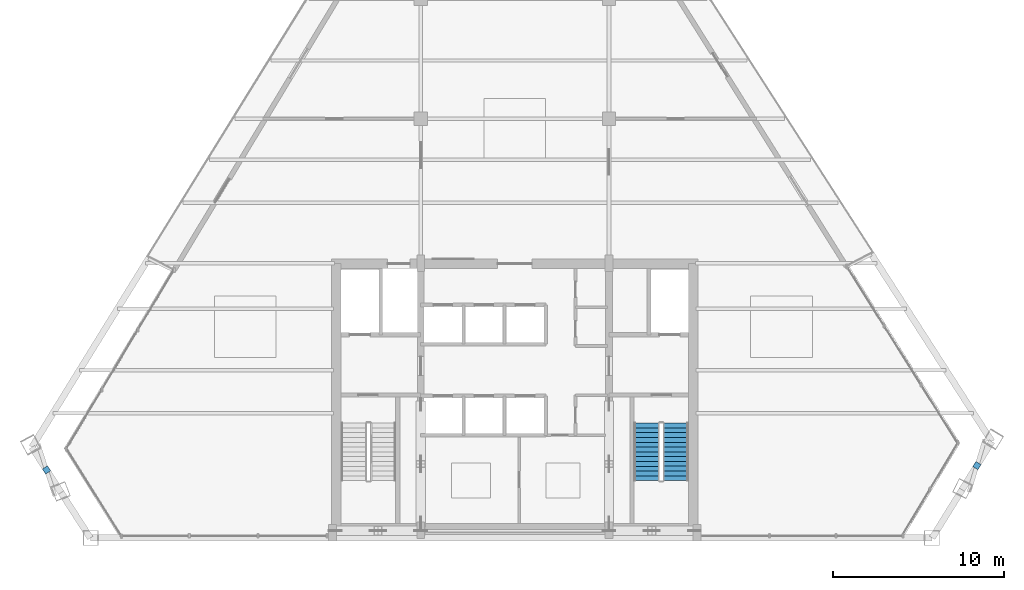
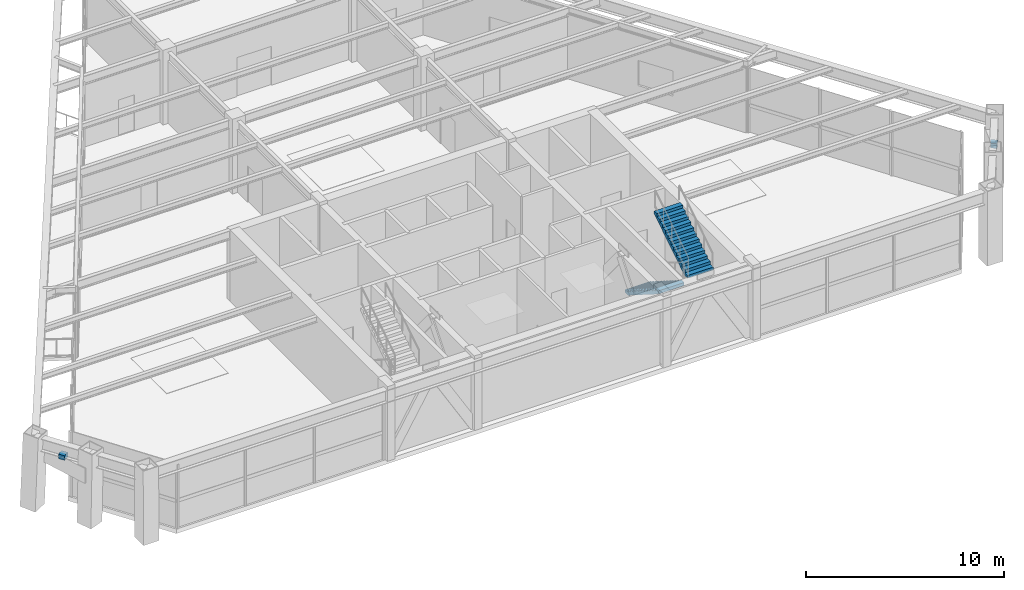
# One storey, part 9 of 11: 2 discrete accessories, 2 stair flights, 1 element without a shape of its own.
"""IFC4 building model written with IfcOpenShell, lengths in metres."""

import ifcopenshell
import ifcopenshell.guid

model = None  # the IFC model being written
_history = None  # IfcOwnerHistory: only IFC2X3 demands one
_inside = {}  # id of a spatial element -> (the spatial element, [elements in it])
_under = {}  # id of a project, library or spatial element -> (it, [spatial elements below it])
_declared = {}  # id of a project -> (the project, [libraries it declares])
_typed = {}  # id of a type object -> (the type object, [elements of that type])
_made_of = {}  # id of a material, layer set ... -> (it, [elements and type objects made of it])


def new_model(schema):
    """Start an empty IFC model of exactly this schema.

    Asked for "IFC4X3", IfcOpenShell would pick the latest addendum, in which some entities
    have other attributes; the version numbers below select the first issue.
    IFC2X3 requires an IfcOwnerHistory on every rooted entity: one is made here for all.
    """
    global model, _history
    if schema == "IFC4X3":
        model = ifcopenshell.file(schema_version=(4, 3, 0, 0))
    else:
        model = ifcopenshell.file(schema=schema)
    _inside.clear()
    _under.clear()
    _declared.clear()
    _typed.clear()
    _made_of.clear()
    _history = None
    if model.schema == "IFC2X3":
        org = make("IfcOrganization", Name="unknown")
        user = make(
            "IfcPersonAndOrganization",
            ThePerson=make("IfcPerson", FamilyName="unknown"),
            TheOrganization=org,
        )
        app = make(
            "IfcApplication",
            ApplicationDeveloper=org,
            Version="unknown",
            ApplicationFullName="unknown",
            ApplicationIdentifier="unknown",
        )
        _history = make(
            "IfcOwnerHistory",
            OwningUser=user,
            OwningApplication=app,
            ChangeAction="ADDED",
            CreationDate=0,
        )
    return model


def make(cls, **values):
    """One entity of the class cls with the attributes given. An attribute that is None is left unset."""
    return model.create_entity(
        cls, **{name: value for name, value in values.items() if value is not None}
    )


def rooted(cls, **values):
    """An entity with a GlobalId (a new one), such as an element, a storey or a relation."""
    return make(cls, GlobalId=ifcopenshell.guid.new(), OwnerHistory=_history, **values)


def si_unit(unit_type, name, prefix=None):
    """IfcSIUnit, for example si_unit("LENGTHUNIT", "METRE", prefix="MILLI")."""
    return make("IfcSIUnit", UnitType=unit_type, Prefix=prefix, Name=name)


def assignment(units):
    """IfcUnitAssignment: the units of a project."""
    return None if units is None else make("IfcUnitAssignment", Units=units)


def point(xyz):
    """IfcCartesianPoint."""
    return None if xyz is None else make("IfcCartesianPoint", Coordinates=xyz)


def direction(xyz):
    """IfcDirection."""
    return None if xyz is None else make("IfcDirection", DirectionRatios=xyz)


def frame(location, z_axis=None, x_axis=None):
    """IfcAxis2Placement3D, a coordinate frame: its origin and axes. An axis left out is left unset."""
    return make(
        "IfcAxis2Placement3D",
        Location=point(location),
        Axis=direction(z_axis),
        RefDirection=direction(x_axis),
    )


def frame_2d(location, x_axis=None):
    """IfcAxis2Placement2D, a coordinate frame in the plane: its origin and x axis."""
    return make(
        "IfcAxis2Placement2D", Location=point(location), RefDirection=direction(x_axis)
    )


def origin():
    """The frame at (0, 0, 0) with its axes left unset."""
    return frame((0.0, 0.0, 0.0))


def origin_2d():
    """The frame at (0, 0) in the plane with its x axis left unset."""
    return frame_2d((0.0, 0.0))


def place(relative_to, where):
    """IfcLocalPlacement: puts the frame where relative to a parent placement (None: the world)."""
    return make(
        "IfcLocalPlacement", PlacementRelTo=relative_to, RelativePlacement=where
    )


def context(
    kind, dimensions, precision=None, world=None, true_north=None, identifier=None
):
    """IfcGeometricRepresentationContext, for example the 3D "Model" context."""
    return make(
        "IfcGeometricRepresentationContext",
        ContextIdentifier=identifier,
        ContextType=kind,
        CoordinateSpaceDimension=dimensions,
        Precision=precision,
        WorldCoordinateSystem=world,
        TrueNorth=true_north,
    )


def subcontext(parent, identifier, kind, view, scale=None):
    """IfcGeometricRepresentationSubContext, for example "Body" below "Model"."""
    return make(
        "IfcGeometricRepresentationSubContext",
        ContextIdentifier=identifier,
        ContextType=kind,
        ParentContext=parent,
        TargetScale=scale,
        TargetView=view,
    )


def project(units=None, contexts=None):
    """IfcProject with its units and contexts."""
    return rooted(
        "IfcProject",
        Name="project",
        RepresentationContexts=contexts,
        UnitsInContext=assignment(units),
    )


def spatial(cls, under=None, at=None, **own):
    """A site, building, storey or space (cls), placed at a placement, below another one or the project."""
    s = rooted(cls, ObjectPlacement=at, **own)
    if under is not None:
        _under.setdefault(under.id(), (under, []))[1].append(s)
    return s


def polyline(points):
    """IfcPolyline through the points."""
    return make("IfcPolyline", Points=[point(p) for p in points])


def profile(cls, at=None, kind="AREA", **sizes):
    """A parametric profile (cls). Its sizes go by their IFC names, for example OverallWidth=200.0."""
    return make(cls, ProfileType=kind, Position=at, **sizes)


def rectangle(**sizes):
    """IfcRectangleProfileDef."""
    return profile("IfcRectangleProfileDef", **sizes)


def outline(outer, holes=None, kind="AREA"):
    """IfcArbitraryClosedProfileDef: a profile drawn as a closed curve; with holes, ...WithVoids."""
    if holes is None:
        return make("IfcArbitraryClosedProfileDef", ProfileType=kind, OuterCurve=outer)
    return make(
        "IfcArbitraryProfileDefWithVoids",
        ProfileType=kind,
        OuterCurve=outer,
        InnerCurves=holes,
    )


def extrude(swept, where, along, depth):
    """IfcExtrudedAreaSolid: the profile swept, set in the frame where, extruded along a direction by depth."""
    return make(
        "IfcExtrudedAreaSolid",
        SweptArea=swept,
        Position=where,
        ExtrudedDirection=direction(along),
        Depth=depth,
    )


def shape(context_of_items, identifier, shape_type, items):
    """IfcShapeRepresentation: the items that make up one representation, for example the "Body"."""
    return make(
        "IfcShapeRepresentation",
        ContextOfItems=context_of_items,
        RepresentationIdentifier=identifier,
        RepresentationType=shape_type,
        Items=items,
    )


def source(mapping_origin, context_of_items, identifier, shape_type, items):
    """IfcRepresentationMap: a shape defined once, which mapped items show again and again."""
    return make(
        "IfcRepresentationMap",
        MappingOrigin=mapping_origin,
        MappedRepresentation=shape(context_of_items, identifier, shape_type, items),
    )


def transform(
    local_origin,
    x_axis=None,
    y_axis=None,
    z_axis=None,
    scale=None,
    scale2=None,
    scale3=None,
    uniform=True,
):
    """IfcCartesianTransformationOperator3D, or its non-uniform kind. x_axis, y_axis, z_axis: its Axis1, 2, 3."""
    if uniform:
        return make(
            "IfcCartesianTransformationOperator3D",
            Axis1=direction(x_axis),
            Axis2=direction(y_axis),
            LocalOrigin=point(local_origin),
            Scale=scale,
            Axis3=direction(z_axis),
        )
    return make(
        "IfcCartesianTransformationOperator3DnonUniform",
        Axis1=direction(x_axis),
        Axis2=direction(y_axis),
        LocalOrigin=point(local_origin),
        Scale=scale,
        Axis3=direction(z_axis),
        Scale2=scale2,
        Scale3=scale3,
    )


def mapped(mapping_source, mapping_target):
    """IfcMappedItem: shows the shape of a source again, moved by a transform."""
    return make(
        "IfcMappedItem", MappingSource=mapping_source, MappingTarget=mapping_target
    )


def material(Name=None, Category=None):
    """IfcMaterial."""
    return make("IfcMaterial", Name=Name, Category=Category)


def made_of(thing, what):
    """Note that an element or type object is made of a material, layer set ...; save() writes the relation."""
    if what is not None:
        _made_of.setdefault(what.id(), (what, []))[1].append(thing)
    return thing


def type_object(cls, material=None, **own):
    """A type object (cls), such as IfcWallType, which elements share."""
    return made_of(rooted(cls, **own), material)


def type_shapes(of_type, sources):
    """Give a type object the sources (RepresentationMaps) that its elements show as mapped items."""
    of_type.RepresentationMaps = sources


def element(
    cls,
    number,
    at=None,
    inside=None,
    cuts=None,
    type_object=None,
    material=None,
    context=None,
    identifier="Body",
    shape_type=None,
    held_by="IfcProductDefinitionShape",
    body=None,
    shapes=None,
    **own,
):
    """One element of the class cls, such as IfcWall. Its Tag is "e" and its number.

    at: its placement. inside: the storey or other place that contains it. cuts: it is an
    opening in that element (IfcRelVoidsElement). A single representation is given by context,
    identifier, shape_type and body (its items); several are given by shapes. held_by: the class
    of the entity that holds the representations. save() writes the other relations.
    """
    e = rooted(cls, Tag="e%d" % number, ObjectPlacement=at, **own)
    if body is not None:
        shapes = [shape(context, identifier, shape_type, body)]
    if shapes is not None:
        e.Representation = make(held_by, Representations=shapes)
    if inside is not None:
        _inside.setdefault(inside.id(), (inside, []))[1].append(e)
    if cuts is not None:
        rooted(
            "IfcRelVoidsElement", RelatingBuildingElement=cuts, RelatedOpeningElement=e
        )
    if type_object is not None:
        _typed.setdefault(type_object.id(), (type_object, []))[1].append(e)
    return made_of(e, material)


def aggregate(whole, parts):
    """IfcRelAggregates: a whole, such as a stair, and the parts it consists of."""
    return rooted("IfcRelAggregates", RelatingObject=whole, RelatedObjects=parts)


def save(model, path):
    """Write the relations noted so far, then the file.

    IfcRelAggregates (storeys below a building ...), IfcRelContainedInSpatialStructure (elements
    in a storey), IfcRelDefinesByType, IfcRelAssociatesMaterial and IfcRelDeclares: one each for
    every whole, place, type object, material and project.
    """
    for whole, parts in _under.values():
        aggregate(whole, parts)
    for where, things in _inside.values():
        rooted(
            "IfcRelContainedInSpatialStructure",
            RelatedElements=things,
            RelatingStructure=where,
        )
    for kind, things in _typed.values():
        rooted("IfcRelDefinesByType", RelatedObjects=things, RelatingType=kind)
    for what, things in _made_of.values():
        rooted("IfcRelAssociatesMaterial", RelatedObjects=things, RelatingMaterial=what)
    for by, libraries in _declared.values():
        rooted("IfcRelDeclares", RelatingContext=by, RelatedDefinitions=libraries)
    model.write(path)


model = new_model("IFC4")

# Units and contexts
model_context = context("Model", 3, precision=1e-05, world=origin(), true_north=direction((0.0, 1.0)))
body_context = subcontext(model_context, "Body", "Model", "MODEL_VIEW")
ifc_project = project(units=[si_unit("LENGTHUNIT", "METRE"), si_unit("AREAUNIT", "SQUARE_METRE"), si_unit("VOLUMEUNIT", "CUBIC_METRE"), si_unit("PLANEANGLEUNIT", "RADIAN"), si_unit("MASSUNIT", "GRAM", prefix="KILO")], contexts=[model_context])

# Site, building, storey
site_placement = place(None, origin())
site = spatial("IfcSite", under=ifc_project, at=site_placement, CompositionType="ELEMENT")
building_placement = place(site_placement, origin())
building = spatial("IfcBuilding", under=site, at=building_placement, Name="Varnakhor Terracotta Tower", CompositionType="ELEMENT")
storey_placement = place(building_placement, frame((0.0, 0.0, 215.39990234375)))
storey = spatial("IfcBuildingStorey", under=building, at=storey_placement, Name="L55", CompositionType="ELEMENT", Elevation=215.39990234375)

# Stair, stair flights
ifc_material_1 = material(Name="Concrete C40/50", Category="concrete")
stair_type = type_object("IfcStairType", Name="STR-CORE-HOTEL-1500", PredefinedType="HALF_TURN_STAIR", material=ifc_material_1)
stair_placement = place(storey_placement, origin())
stair = element("IfcStair", 1, at=stair_placement, inside=storey, type_object=stair_type, Name="L55 Core Exit Stair ST-2", PredefinedType="HALF_TURN_STAIR")
stair_flight_type = type_object("IfcStairFlightType", Name="FLT-HOTEL-1500", PredefinedType="STRAIGHT", material=ifc_material_1)
stair_flight_1_placement = place(storey_placement, frame((7.699951171875, 6.7099609375, 0.0), z_axis=(0.0, 0.0, 1.0), x_axis=(0.0, -1.0, 0.0)))
stair_flight_1 = element("IfcStairFlight", 2, at=stair_flight_1_placement, type_object=stair_flight_type, Name="ST-2 flight 1", NumberOfRisers=13, NumberOfTreads=12, PredefinedType="STRAIGHT", RiserHeight=0.176923077, TreadLength=0.28, context=body_context, shape_type="SweptSolid", body=[
    extrude(outline(polyline([(0.0, 0.0), (0.0, 0.177001953125), (0.280029296875, 0.177001953125), (0.280029296875, 0.353759765625), (0.56005859375, 0.353759765625), (0.56005859375, 0.53076171875), (0.840087890625, 0.53076171875), (0.840087890625, 0.707763671875), (1.1201171875, 0.707763671875), (1.1201171875, 0.884521484375), (1.39990234375, 0.884521484375), (1.39990234375, 1.0615234375), (1.679931640625, 1.0615234375), (1.679931640625, 1.238525390625), (1.9599609375, 1.238525390625), (1.9599609375, 1.415283203125), (2.239990234375, 1.415283203125), (2.239990234375, 1.59228515625), (2.52001953125, 1.59228515625), (2.52001953125, 1.769287109375), (2.800048828125, 1.769287109375), (2.800048828125, 1.946044921875), (3.080078125, 1.946044921875), (3.080078125, 2.123046875), (3.360107421875, 2.123046875), (3.360107421875, 2.300048828125), (3.360107421875, 1.933837890625), (0.29931640625, 0.0), (0.0, 0.0)])), frame((0.0, 0.75, 0.0), z_axis=(0.0, -1.0, 0.0), x_axis=(1.0, 0.0, 0.0)), (0.0, 0.0, 1.0), 1.5),
])
stair_flight_2_placement = place(storey_placement, frame((9.39990234375, 3.35009765625, 2.300048828125), z_axis=(0.0, 0.0, 1.0), x_axis=(0.0, 1.0, 0.0)))
stair_flight_2 = element("IfcStairFlight", 3, at=stair_flight_2_placement, type_object=stair_flight_type, Name="ST-2 flight 2", NumberOfRisers=13, NumberOfTreads=12, PredefinedType="STRAIGHT", RiserHeight=0.176923077, TreadLength=0.28, context=body_context, shape_type="SweptSolid", body=[
    extrude(outline(polyline([(0.0, 0.0), (0.0, 0.177001953125), (0.280029296875, 0.177001953125), (0.280029296875, 0.353759765625), (0.56005859375, 0.353759765625), (0.56005859375, 0.53076171875), (0.840087890625, 0.53076171875), (0.840087890625, 0.707763671875), (1.1201171875, 0.707763671875), (1.1201171875, 0.884521484375), (1.39990234375, 0.884521484375), (1.39990234375, 1.0615234375), (1.679931640625, 1.0615234375), (1.679931640625, 1.238525390625), (1.9599609375, 1.238525390625), (1.9599609375, 1.415283203125), (2.239990234375, 1.415283203125), (2.239990234375, 1.59228515625), (2.52001953125, 1.59228515625), (2.52001953125, 1.769287109375), (2.800048828125, 1.769287109375), (2.800048828125, 1.946044921875), (3.080078125, 1.946044921875), (3.080078125, 2.123046875), (3.360107421875, 2.123046875), (3.360107421875, 2.300048828125), (3.360107421875, 1.933837890625), (0.29931640625, 0.0), (0.0, 0.0)])), frame((0.0, 0.75, 0.0), z_axis=(0.0, -1.0, 0.0), x_axis=(1.0, 0.0, 0.0)), (0.0, 0.0, 1.0), 1.5),
])
aggregate(stair, [stair_flight_1, stair_flight_2])

# Discrete accessories
ifc_material_2 = material(Name="Stainless Steel Fixing Bracket", Category="steel")
discrete_accessory_type = type_object("IfcDiscreteAccessoryType", Name="BRACKET-TERRACOTTA-SCREEN", PredefinedType="BRACKET", material=ifc_material_2)
shared_shape = source(origin(), body_context, "Body", "SweptSolid", [
    extrude(rectangle(XDim=0.35009765625, YDim=0.35009765625, at=origin_2d()), origin(), (0.0, 0.0, 1.0), 0.280029296875),
])
type_shapes(discrete_accessory_type, [shared_shape])
for number, where, z_axis, x_axis, name in (
    (4, (27.001220703125, 4.22705078125, 3.4873046875), (0.0, 0.0, 1.0), (0.525709221863, 0.850664336885, 0.0), "L55 E Screen Fixing Bracket"),
    (5, (-27.367431640625, 3.97607421875, 3.4873046875), (0.0, 0.0, 1.0), (0.540842354595, -0.841123978659, 0.0), "L55 W Screen Fixing Bracket"),
):
    element("IfcDiscreteAccessory", number, at=place(storey_placement, frame(where, z_axis=z_axis, x_axis=x_axis)), inside=storey, type_object=discrete_accessory_type, Name=name, PredefinedType="BRACKET", context=body_context, shape_type="MappedRepresentation", body=[
        mapped(shared_shape, transform((0.0, 0.0, 0.0), scale=1.0)),
    ])

save(model, "model.ifc")
